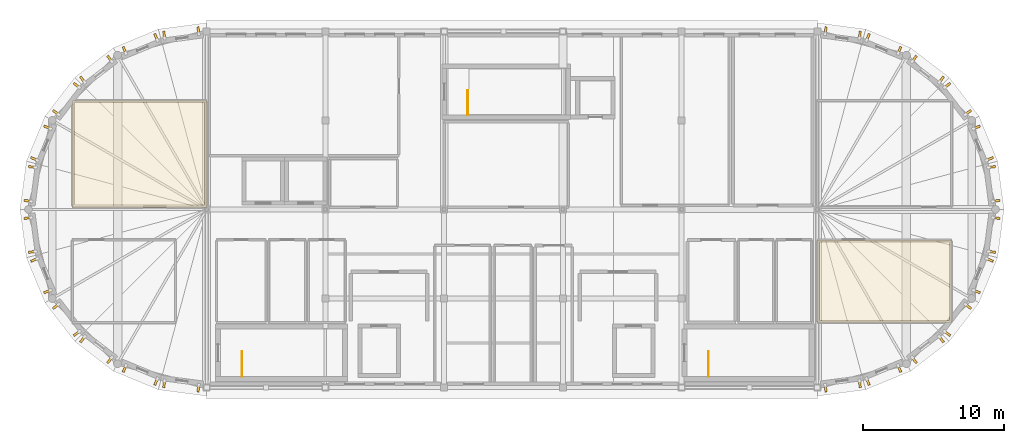
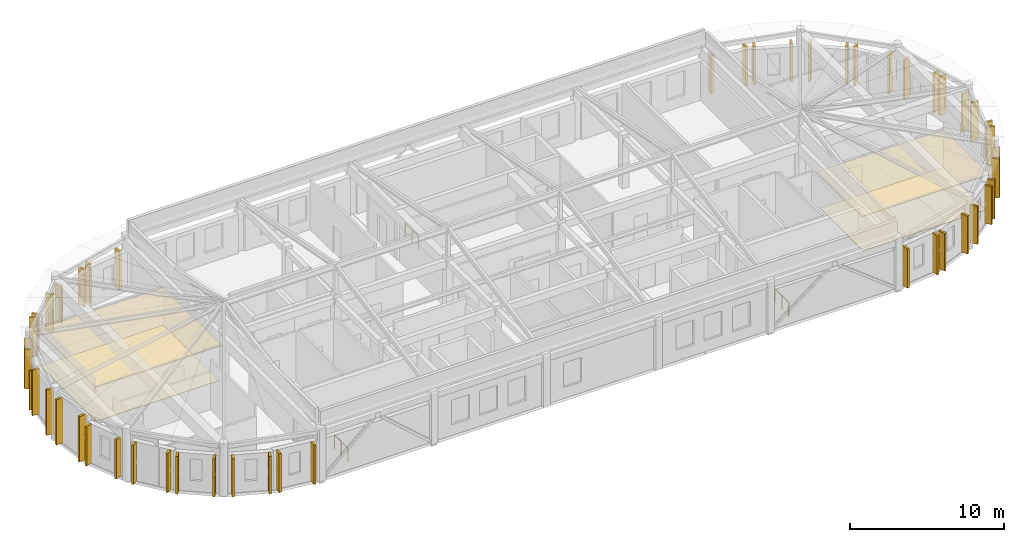
# One storey, part 11 of 11: 52 coverings, 3 railings.
"""IFC4 building model written with IfcOpenShell, lengths in metres."""

from ifc_helpers import new_model, si_unit, direction, frame, origin, origin_2d, place, context, subcontext, project, spatial, polyline, rectangle, circle, outline, extrude, material, layer, layer_set, type_object, element, save


model = new_model("IFC4")

# Units and contexts
model_context = context("Model", 3, precision=1e-05, world=origin(), true_north=direction((0.0, 1.0)))
body_context = subcontext(model_context, "Body", "Model", "MODEL_VIEW")
ifc_project = project(units=[si_unit("LENGTHUNIT", "METRE"), si_unit("AREAUNIT", "SQUARE_METRE"), si_unit("VOLUMEUNIT", "CUBIC_METRE"), si_unit("PLANEANGLEUNIT", "RADIAN"), si_unit("MASSUNIT", "GRAM", prefix="KILO")], contexts=[model_context])

# Site, building, storey
site_placement = place(None, origin())
site = spatial("IfcSite", under=ifc_project, at=site_placement, CompositionType="ELEMENT")
building_placement = place(site_placement, origin())
building = spatial("IfcBuilding", under=site, at=building_placement, Name="Tarnavel Promenade Courthouse", CompositionType="ELEMENT")
storey_placement = place(building_placement, frame((0.0, 0.0, 35.39990234375)))
storey = spatial("IfcBuildingStorey", under=building, at=storey_placement, Name="L09", CompositionType="ELEMENT", Elevation=35.39990234375)

# Coverings
ifc_material_1 = material(Name="Honed Khoriatis Marble and Terrazzo Civic Flooring", Category="masonry")
ifc_layer_1 = layer(ifc_material_1, 0.0400390625)
ifc_layer_set_1 = layer_set([ifc_layer_1], Name="Honed Khoriatis Marble and Terrazzo Civic Flooring")
covering_type_1 = type_object("IfcCoveringType", Name="Honed Khoriatis Marble and Terrazzo Civic Flooring (COV-FLR-TRZ-40)", PredefinedType="FLOORING", material=ifc_layer_set_1)
covering_1_placement = place(storey_placement, origin())
element("IfcCovering", 1, at=covering_1_placement, inside=storey, type_object=covering_type_1, Name="L09 L09 West Drum Rotunda Library North Architectural Flooring 0059", PredefinedType="FLOORING", context=body_context, shape_type="SweptSolid", body=[
    extrude(outline(polyline([(49.449951171875, 92.10009765625), (58.64990234375, 92.10009765625), (58.64990234375, 99.35009765625), (49.449951171875, 99.35009765625), (49.449951171875, 92.10009765625)])), origin(), (0.0, 0.0, 1.0), 0.0400390625),
])
covering_2_placement = place(storey_placement, origin())
element("IfcCovering", 2, at=covering_2_placement, inside=storey, type_object=covering_type_1, Name="L09 L09 East Drum Collegium Reference Room Architectural Flooring 0060", PredefinedType="FLOORING", context=body_context, shape_type="SweptSolid", body=[
    extrude(outline(polyline([(102.14990234375, 83.949951171875), (111.35009765625, 83.949951171875), (111.35009765625, 89.5), (102.14990234375, 89.5), (102.14990234375, 83.949951171875)])), origin(), (0.0, 0.0, 1.0), 0.0400390625),
])

# Railings
ifc_material_2 = material(Name="Painted Architectural Steel Core Stair Guardrail", Category="steel")
railing_type = type_object("IfcRailingType", Name="Painted Architectural Steel Core Stair Guardrail (RL-GRD-1100)", PredefinedType="GUARDRAIL", material=ifc_material_2)
for number, where, name in (
    (3, (61.31005859375, 80.0, 0.0), "L09 ST-01 top well guard 1"),
    (4, (94.31005859375, 80.0, 0.0), "L09 ST-02 top well guard 1"),
):
    element("IfcRailing", number, at=place(storey_placement, frame(where)), inside=storey, type_object=railing_type, Name=name, PredefinedType="GUARDRAIL", context=body_context, shape_type="SweptSolid", body=[
        extrude(circle(Radius=0.02392578125, at=origin_2d()), frame((0.0, 0.0, 1.076171875), z_axis=(0.0, 1.0, 0.0), x_axis=(-1.0, 0.0, 0.0)), (0.0, 0.0, 1.0), 1.760009765625),
        extrude(circle(Radius=0.02099609375, at=origin_2d()), origin(), (0.0, 0.0, 1.0), 1.052001953125),
        extrude(circle(Radius=0.02099609375, at=origin_2d()), frame((0.0, 0.8798828125, 0.0)), (0.0, 0.0, 1.0), 1.052001953125),
        extrude(circle(Radius=0.02099609375, at=origin_2d()), frame((0.0, 1.760009765625, 0.0)), (0.0, 0.0, 1.0), 1.052001953125),
    ])
railing_placement = place(storey_placement, frame((77.27001953125, 98.5, 0.0)))
element("IfcRailing", 5, at=railing_placement, inside=storey, type_object=railing_type, Name="L09 ST-03 top well guard 1", PredefinedType="GUARDRAIL", context=body_context, shape_type="SweptSolid", body=[
    extrude(circle(Radius=0.02392578125, at=origin_2d()), frame((0.0, 0.0, 1.076171875), z_axis=(0.0, 1.0, 0.0), x_axis=(-1.0, 0.0, 0.0)), (0.0, 0.0, 1.0), 1.719970703125),
    extrude(circle(Radius=0.02099609375, at=origin_2d()), origin(), (0.0, 0.0, 1.0), 1.052001953125),
    extrude(circle(Radius=0.02099609375, at=origin_2d()), frame((0.0, 0.85986328125, 0.0)), (0.0, 0.0, 1.0), 1.052001953125),
    extrude(circle(Radius=0.02099609375, at=origin_2d()), frame((0.0, 1.719970703125, 0.0)), (0.0, 0.0, 1.0), 1.052001953125),
])

# Coverings
ifc_material_3 = material(Name="Patinated Copper-Bronze Fluted Pier Cladding")
ifc_layer_2 = layer(ifc_material_3, 0.52001953125)
ifc_layer_set_2 = layer_set([ifc_layer_2], Name="Patinated Copper-Bronze Fluted Pier Cladding")
covering_type_2 = type_object("IfcCoveringType", Name="Patinated Copper-Bronze Fluted Pier Cladding COV-PIER-520 (520 mm)", PredefinedType="CLADDING", material=ifc_layer_set_2)
for number, where, z_axis, x_axis, name in (
    (6, (58.216552734375, 104.46435546875, 0.0), (0.0, 0.0, 1.0), (-0.991444861374, -0.13052619222, 0.0), "L09 W Drum Fluted Copper Pier 0319"),
    (7, (55.798095703125, 104.14599609375, 0.0), (0.0, 0.0, 1.0), (-0.991444861374, -0.13052619222, 0.0), "L09 W Drum Fluted Copper Pier 0320"),
):
    element("IfcCovering", number, at=place(storey_placement, frame(where, z_axis=z_axis, x_axis=x_axis)), inside=storey, type_object=covering_type_2, Name=name, PredefinedType="CLADDING", context=body_context, shape_type="SweptSolid", body=[
        extrude(rectangle(XDim=0.159912109375, YDim=0.52001953125, at=origin_2d()), origin(), (0.0, 0.0, 1.0), 3.094970703125),
    ])
for number, where, z_axis, x_axis, name in (
    (8, (55.2265625, 103.992919921875, 0.0), (0.0, 0.0, 1.0), (-0.923879532511, -0.382683432365, 0.0), "L09 W Drum Fluted Copper Pier 0321"),
    (9, (52.99609375, 103.069091796875, 0.0), (0.0, 0.0, 1.0), (-0.923879532511, -0.382683432365, 0.0), "L09 W Drum Fluted Copper Pier 0322"),
    (10, (51.942626953125, 102.460693359375, 0.0), (0.0, 0.0, 1.0), (-0.793353340291, -0.608761429009, 0.0), "L09 W Drum Fluted Copper Pier 0323"),
    (11, (50.02734375, 100.9912109375, 0.0), (0.0, 0.0, 1.0), (-0.793353340291, -0.608761429009, 0.0), "L09 W Drum Fluted Copper Pier 0324"),
):
    element("IfcCovering", number, at=place(storey_placement, frame(where, z_axis=z_axis, x_axis=x_axis)), inside=storey, type_object=covering_type_2, Name=name, PredefinedType="CLADDING", context=body_context, shape_type="SweptSolid", body=[
        extrude(rectangle(XDim=0.159912109375, YDim=0.52001953125, at=origin_2d()), origin(), (0.0, 0.0, 1.0), 2.9951171875),
    ])
for number, where, z_axis, x_axis, name in (
    (12, (49.60888671875, 100.572509765625, 0.0), (0.0, 0.0, 1.0), (-0.608761429009, -0.793353340291, 0.0), "L09 W Drum Fluted Copper Pier 0325"),
    (13, (48.13916015625, 98.6572265625, 0.0), (0.0, 0.0, 1.0), (-0.608761429009, -0.793353340291, 0.0), "L09 W Drum Fluted Copper Pier 0326"),
    (14, (47.531005859375, 97.60400390625, 0.0), (0.0, 0.0, 1.0), (-0.382683432365, -0.923879532511, 0.0), "L09 W Drum Fluted Copper Pier 0327"),
    (15, (46.607177734375, 95.373291015625, 0.0), (0.0, 0.0, 1.0), (-0.382683432365, -0.923879532511, 0.0), "L09 W Drum Fluted Copper Pier 0328"),
):
    element("IfcCovering", number, at=place(storey_placement, frame(where, z_axis=z_axis, x_axis=x_axis)), inside=storey, type_object=covering_type_2, Name=name, PredefinedType="CLADDING", context=body_context, shape_type="SweptSolid", body=[
        extrude(rectangle(XDim=0.159912109375, YDim=0.52001953125, at=origin_2d()), origin(), (0.0, 0.0, 1.0), 3.094970703125),
    ])
for number, where, z_axis, x_axis, name in (
    (16, (46.4541015625, 94.8017578125, 0.0), (0.0, 0.0, 1.0), (-0.13052619222, -0.991444861374, 0.0), "L09 W Drum Fluted Copper Pier 0329"),
    (17, (46.138916015625, 92.408203125, 0.0), (0.0, 0.0, 1.0), (-0.13052619222, -0.991444861374, 0.0), "L09 W Drum Fluted Copper Pier 0330"),
    (18, (46.138916015625, 91.19189453125, 0.0), (0.0, 0.0, 1.0), (0.13052619222, -0.991444861374, 0.0), "L09 W Drum Fluted Copper Pier 0331"),
    (19, (46.4541015625, 88.798095703125, 0.0), (0.0, 0.0, 1.0), (0.13052619222, -0.991444861374, 0.0), "L09 W Drum Fluted Copper Pier 0332"),
):
    element("IfcCovering", number, at=place(storey_placement, frame(where, z_axis=z_axis, x_axis=x_axis)), inside=storey, type_object=covering_type_2, Name=name, PredefinedType="CLADDING", context=body_context, shape_type="SweptSolid", body=[
        extrude(rectangle(XDim=0.159912109375, YDim=0.52001953125, at=origin_2d()), origin(), (0.0, 0.0, 1.0), 3.594970703125),
    ])
for number, where, z_axis, x_axis, name in (
    (20, (46.607177734375, 88.2265625, 0.0), (0.0, 0.0, 1.0), (0.382683432365, -0.923879532511, 0.0), "L09 W Drum Fluted Copper Pier 0333"),
    (21, (47.531005859375, 85.99609375, 0.0), (0.0, 0.0, 1.0), (0.382683432365, -0.923879532511, 0.0), "L09 W Drum Fluted Copper Pier 0334"),
    (22, (48.13916015625, 84.942626953125, 0.0), (0.0, 0.0, 1.0), (0.608761429009, -0.793353340291, 0.0), "L09 W Drum Fluted Copper Pier 0335"),
    (23, (49.60888671875, 83.02734375, 0.0), (0.0, 0.0, 1.0), (0.608761429009, -0.793353340291, 0.0), "L09 W Drum Fluted Copper Pier 0336"),
):
    element("IfcCovering", number, at=place(storey_placement, frame(where, z_axis=z_axis, x_axis=x_axis)), inside=storey, type_object=covering_type_2, Name=name, PredefinedType="CLADDING", context=body_context, shape_type="SweptSolid", body=[
        extrude(rectangle(XDim=0.159912109375, YDim=0.52001953125, at=origin_2d()), origin(), (0.0, 0.0, 1.0), 3.094970703125),
    ])
for number, where, z_axis, x_axis, name in (
    (24, (50.02734375, 82.60888671875, 0.0), (0.0, 0.0, 1.0), (0.793353340291, -0.608761429009, 0.0), "L09 W Drum Fluted Copper Pier 0337"),
    (25, (51.942626953125, 81.13916015625, 0.0), (0.0, 0.0, 1.0), (0.793353340291, -0.608761429009, 0.0), "L09 W Drum Fluted Copper Pier 0338"),
    (26, (52.99609375, 80.531005859375, 0.0), (0.0, 0.0, 1.0), (0.923879532511, -0.382683432365, 0.0), "L09 W Drum Fluted Copper Pier 0339"),
    (27, (55.2265625, 79.607177734375, 0.0), (0.0, 0.0, 1.0), (0.923879532511, -0.382683432365, 0.0), "L09 W Drum Fluted Copper Pier 0340"),
):
    element("IfcCovering", number, at=place(storey_placement, frame(where, z_axis=z_axis, x_axis=x_axis)), inside=storey, type_object=covering_type_2, Name=name, PredefinedType="CLADDING", context=body_context, shape_type="SweptSolid", body=[
        extrude(rectangle(XDim=0.159912109375, YDim=0.52001953125, at=origin_2d()), origin(), (0.0, 0.0, 1.0), 2.9951171875),
    ])
for number, where, z_axis, x_axis, name in (
    (28, (55.798095703125, 79.4541015625, 0.0), (0.0, 0.0, 1.0), (0.991444861374, -0.13052619222, 0.0), "L09 W Drum Fluted Copper Pier 0341"),
    (29, (58.216552734375, 79.135498046875, 0.0), (0.0, 0.0, 1.0), (0.991444861374, -0.13052619222, 0.0), "L09 W Drum Fluted Copper Pier 0342"),
    (30, (102.58349609375, 79.135498046875, 0.0), (0.0, 0.0, 1.0), (0.991444861374, 0.13052619222, 0.0), "L09 E Drum Fluted Copper Pier 0343"),
    (31, (105.001708984375, 79.4541015625, 0.0), (0.0, 0.0, 1.0), (0.991444861374, 0.13052619222, 0.0), "L09 E Drum Fluted Copper Pier 0344"),
):
    element("IfcCovering", number, at=place(storey_placement, frame(where, z_axis=z_axis, x_axis=x_axis)), inside=storey, type_object=covering_type_2, Name=name, PredefinedType="CLADDING", context=body_context, shape_type="SweptSolid", body=[
        extrude(rectangle(XDim=0.159912109375, YDim=0.52001953125, at=origin_2d()), origin(), (0.0, 0.0, 1.0), 3.094970703125),
    ])
for number, where, z_axis, x_axis, name in (
    (32, (105.573486328125, 79.607177734375, 0.0), (0.0, 0.0, 1.0), (0.923879532511, 0.382683432365, 0.0), "L09 E Drum Fluted Copper Pier 0345"),
    (33, (107.803955078125, 80.531005859375, 0.0), (0.0, 0.0, 1.0), (0.923879532511, 0.382683432365, 0.0), "L09 E Drum Fluted Copper Pier 0346"),
    (34, (108.857421875, 81.13916015625, 0.0), (0.0, 0.0, 1.0), (0.793353340291, 0.608761429009, 0.0), "L09 E Drum Fluted Copper Pier 0347"),
    (35, (110.772705078125, 82.60888671875, 0.0), (0.0, 0.0, 1.0), (0.793353340291, 0.608761429009, 0.0), "L09 E Drum Fluted Copper Pier 0348"),
):
    element("IfcCovering", number, at=place(storey_placement, frame(where, z_axis=z_axis, x_axis=x_axis)), inside=storey, type_object=covering_type_2, Name=name, PredefinedType="CLADDING", context=body_context, shape_type="SweptSolid", body=[
        extrude(rectangle(XDim=0.159912109375, YDim=0.52001953125, at=origin_2d()), origin(), (0.0, 0.0, 1.0), 2.9951171875),
    ])
for number, where, z_axis, x_axis, name in (
    (36, (111.191162109375, 83.02734375, 0.0), (0.0, 0.0, 1.0), (0.608761429009, 0.793353340291, 0.0), "L09 E Drum Fluted Copper Pier 0349"),
    (37, (112.660888671875, 84.942626953125, 0.0), (0.0, 0.0, 1.0), (0.608761429009, 0.793353340291, 0.0), "L09 E Drum Fluted Copper Pier 0350"),
    (38, (113.26904296875, 85.99609375, 0.0), (0.0, 0.0, 1.0), (0.382683432365, 0.923879532511, 0.0), "L09 E Drum Fluted Copper Pier 0351"),
    (39, (114.19287109375, 88.2265625, 0.0), (0.0, 0.0, 1.0), (0.382683432365, 0.923879532511, 0.0), "L09 E Drum Fluted Copper Pier 0352"),
    (40, (114.345947265625, 88.798095703125, 0.0), (0.0, 0.0, 1.0), (0.13052619222, 0.991444861374, 0.0), "L09 E Drum Fluted Copper Pier 0353"),
    (41, (114.6611328125, 91.19189453125, 0.0), (0.0, 0.0, 1.0), (0.13052619222, 0.991444861374, 0.0), "L09 E Drum Fluted Copper Pier 0354"),
    (42, (114.6611328125, 92.408203125, 0.0), (0.0, 0.0, 1.0), (-0.13052619222, 0.991444861374, 0.0), "L09 E Drum Fluted Copper Pier 0355"),
    (43, (114.345947265625, 94.8017578125, 0.0), (0.0, 0.0, 1.0), (-0.13052619222, 0.991444861374, 0.0), "L09 E Drum Fluted Copper Pier 0356"),
    (44, (114.19287109375, 95.373291015625, 0.0), (0.0, 0.0, 1.0), (-0.382683432365, 0.923879532511, 0.0), "L09 E Drum Fluted Copper Pier 0357"),
    (45, (113.26904296875, 97.60400390625, 0.0), (0.0, 0.0, 1.0), (-0.382683432365, 0.923879532511, 0.0), "L09 E Drum Fluted Copper Pier 0358"),
    (46, (112.660888671875, 98.6572265625, 0.0), (0.0, 0.0, 1.0), (-0.608761429009, 0.793353340291, 0.0), "L09 E Drum Fluted Copper Pier 0359"),
    (47, (111.191162109375, 100.572509765625, 0.0), (0.0, 0.0, 1.0), (-0.608761429009, 0.793353340291, 0.0), "L09 E Drum Fluted Copper Pier 0360"),
):
    element("IfcCovering", number, at=place(storey_placement, frame(where, z_axis=z_axis, x_axis=x_axis)), inside=storey, type_object=covering_type_2, Name=name, PredefinedType="CLADDING", context=body_context, shape_type="SweptSolid", body=[
        extrude(rectangle(XDim=0.159912109375, YDim=0.52001953125, at=origin_2d()), origin(), (0.0, 0.0, 1.0), 3.094970703125),
    ])
for number, where, z_axis, x_axis, name in (
    (48, (110.772705078125, 100.9912109375, 0.0), (0.0, 0.0, 1.0), (-0.793353340291, 0.608761429009, 0.0), "L09 E Drum Fluted Copper Pier 0361"),
    (49, (108.857421875, 102.460693359375, 0.0), (0.0, 0.0, 1.0), (-0.793353340291, 0.608761429009, 0.0), "L09 E Drum Fluted Copper Pier 0362"),
    (50, (107.803955078125, 103.069091796875, 0.0), (0.0, 0.0, 1.0), (-0.923879532511, 0.382683432365, 0.0), "L09 E Drum Fluted Copper Pier 0363"),
    (51, (105.573486328125, 103.992919921875, 0.0), (0.0, 0.0, 1.0), (-0.923879532511, 0.382683432365, 0.0), "L09 E Drum Fluted Copper Pier 0364"),
):
    element("IfcCovering", number, at=place(storey_placement, frame(where, z_axis=z_axis, x_axis=x_axis)), inside=storey, type_object=covering_type_2, Name=name, PredefinedType="CLADDING", context=body_context, shape_type="SweptSolid", body=[
        extrude(rectangle(XDim=0.159912109375, YDim=0.52001953125, at=origin_2d()), origin(), (0.0, 0.0, 1.0), 2.9951171875),
    ])
for number, where, z_axis, x_axis, name in (
    (52, (105.001708984375, 104.14599609375, 0.0), (0.0, 0.0, 1.0), (-0.991444861374, 0.13052619222, 0.0), "L09 E Drum Fluted Copper Pier 0365"),
    (53, (102.58349609375, 104.46435546875, 0.0), (0.0, 0.0, 1.0), (-0.991444861374, 0.13052619222, 0.0), "L09 E Drum Fluted Copper Pier 0366"),
):
    element("IfcCovering", number, at=place(storey_placement, frame(where, z_axis=z_axis, x_axis=x_axis)), inside=storey, type_object=covering_type_2, Name=name, PredefinedType="CLADDING", context=body_context, shape_type="SweptSolid", body=[
        extrude(rectangle(XDim=0.159912109375, YDim=0.52001953125, at=origin_2d()), origin(), (0.0, 0.0, 1.0), 3.094970703125),
    ])
ifc_material_4 = material(Name="Slatted Acoustic White Oak Baffle Ceiling")
ifc_layer_3 = layer(ifc_material_4, 0.06494140625)
ifc_layer_set_3 = layer_set([ifc_layer_3], Name="Slatted Acoustic White Oak Baffle Ceiling")
covering_type_3 = type_object("IfcCoveringType", Name="Slatted Acoustic White Oak Baffle Ceiling (COV-CLG-OAK-65)", PredefinedType="CEILING", material=ifc_layer_set_3)
covering_3_placement = place(storey_placement, frame((0.0, 0.0, 2.830078125)))
element("IfcCovering", 54, at=covering_3_placement, inside=storey, type_object=covering_type_3, Name="L09 L09 West Drum Rotunda Library North Acoustic Ceiling 0059", PredefinedType="CEILING", context=body_context, shape_type="SweptSolid", body=[
    extrude(outline(polyline([(49.300048828125, 91.949951171875), (58.800048828125, 91.949951171875), (58.800048828125, 99.5), (49.300048828125, 99.5), (49.300048828125, 91.949951171875)])), origin(), (0.0, 0.0, 1.0), 0.06494140625),
])
covering_4_placement = place(storey_placement, frame((0.0, 0.0, 2.830078125)))
element("IfcCovering", 55, at=covering_4_placement, inside=storey, type_object=covering_type_3, Name="L09 L09 East Drum Collegium Reference Room Acoustic Ceiling 0060", PredefinedType="CEILING", context=body_context, shape_type="SweptSolid", body=[
    extrude(outline(polyline([(102.0, 83.800048828125), (111.5, 83.800048828125), (111.5, 89.64990234375), (102.0, 89.64990234375), (102.0, 83.800048828125)])), origin(), (0.0, 0.0, 1.0), 0.06494140625),
])

save(model, "model.ifc")
